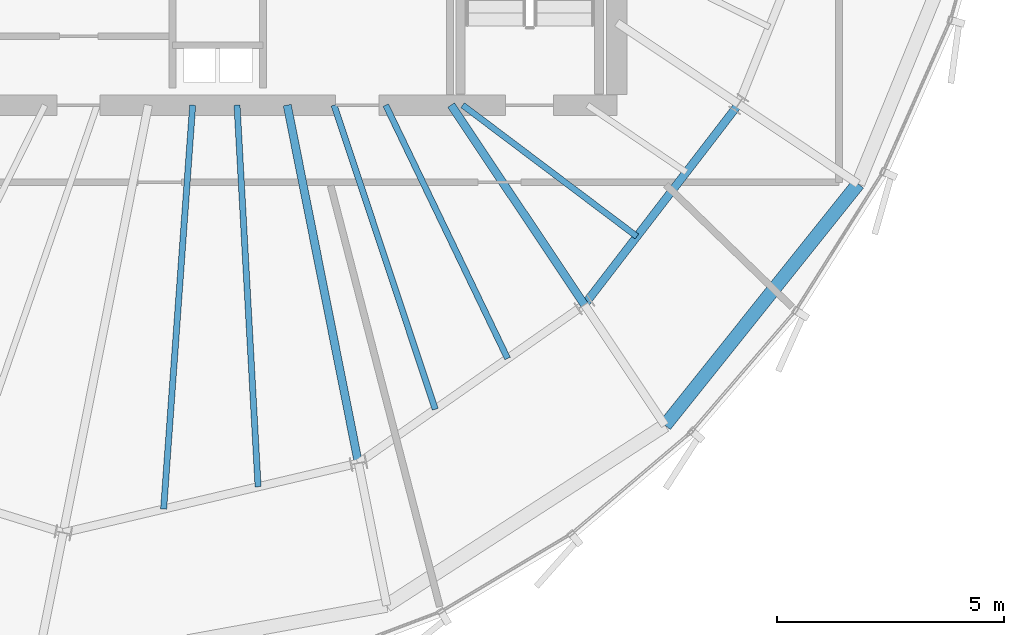
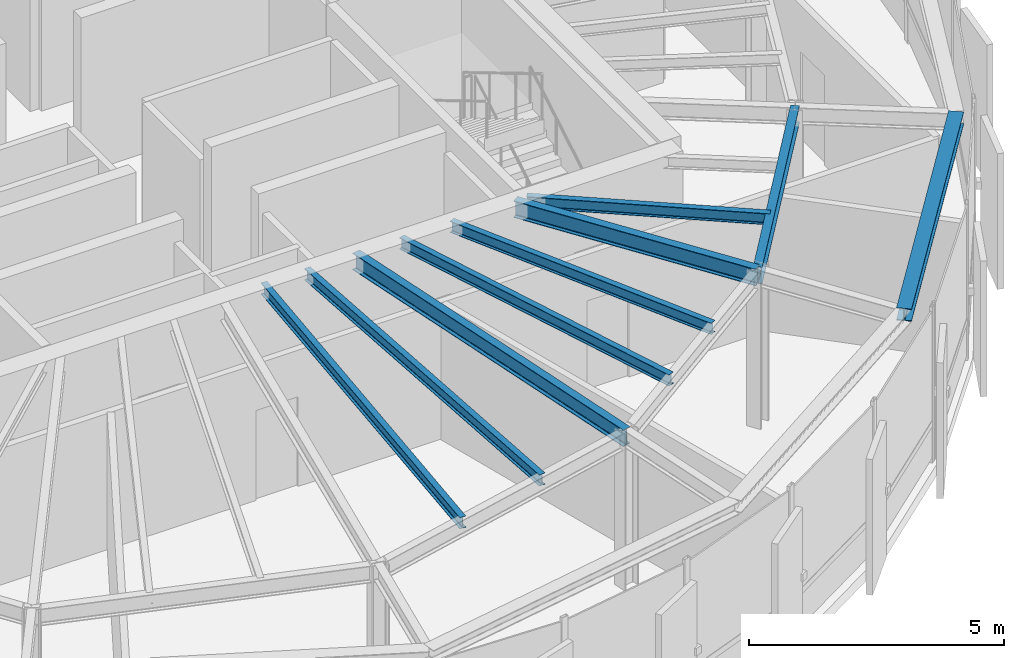
# One storey, part 8 of 26: 9 beams.
"""IFC4 building model written with IfcOpenShell, lengths in metres."""

from ifc_helpers import new_model, si_unit, direction, frame, origin, origin_2d, place, context, subcontext, project, spatial, i_section, extrude, source, transform, mapped, material, material_profile, profile_set, type_object, element, save


model = new_model("IFC4")

# Units and contexts
model_context = context("Model", 3, precision=1e-05, world=origin(), true_north=direction((0.0, 1.0)))
body_context = subcontext(model_context, "Body", "Model", "MODEL_VIEW")
ifc_project = project(units=[si_unit("LENGTHUNIT", "METRE"), si_unit("AREAUNIT", "SQUARE_METRE"), si_unit("VOLUMEUNIT", "CUBIC_METRE"), si_unit("PLANEANGLEUNIT", "RADIAN"), si_unit("MASSUNIT", "GRAM", prefix="KILO"), si_unit("THERMODYNAMICTEMPERATUREUNIT", "KELVIN")], contexts=[model_context])

# Site, building, storey
site_placement = place(None, origin())
site = spatial("IfcSite", under=ifc_project, at=site_placement, CompositionType="ELEMENT")
building_placement = place(site_placement, origin())
building = spatial("IfcBuilding", under=site, at=building_placement, Name="Kethvar Cultural Tower", CompositionType="ELEMENT")
storey_placement = place(building_placement, frame((0.0, 0.0, 316.300048828125)))
storey = spatial("IfcBuildingStorey", under=building, at=storey_placement, Name="L84", CompositionType="ELEMENT", Elevation=316.300048828125)

# Beams
ifc_material = material(Name="Steel S355J2", Category="steel")
ifc_material_profile_1 = material_profile(ifc_material, i_section(OverallWidth=0.135009765625, OverallDepth=0.27001953125, WebThickness=0.006591796875, FlangeThickness=0.01025390625, FilletRadius=0.014892578125, at=origin_2d()), Name="Steel S355J2 — IPE270")
ifc_profile_set_1 = profile_set([ifc_material_profile_1], Name="Steel S355J2 — IPE270")
beam_type_1 = type_object("IfcBeamType", Name="BM-J270", PredefinedType="JOIST", material=ifc_profile_set_1)
shared_shape_1 = source(origin(), body_context, "Body", "SweptSolid", [
    extrude(i_section(OverallWidth=0.135009765625, OverallDepth=0.27001953125, WebThickness=0.006591796875, FlangeThickness=0.01025390625, FilletRadius=0.014892578125, at=origin_2d()), origin(), (0.0, 0.0, 1.0), 8.9296875),
])
beam_1_placement = place(storey_placement, frame((46.246337890625, 20.10009765625, 3.597900390625), z_axis=(-0.071713352262, -0.99742528297, 0.0), x_axis=(0.99742528297, -0.071713352262, 0.0)))
element("IfcBeam", 1, at=beam_1_placement, inside=storey, type_object=beam_type_1, Name="L84 Composite Floor Joist J-12A", PredefinedType="JOIST", context=body_context, shape_type="MappedRepresentation", body=[
    mapped(shared_shape_1, transform((0.0, 0.0, 0.0), scale=1.0)),
])
shared_shape_2 = source(origin(), body_context, "Body", "SweptSolid", [
    extrude(i_section(OverallWidth=0.135009765625, OverallDepth=0.27001953125, WebThickness=0.006591796875, FlangeThickness=0.01025390625, FilletRadius=0.014892578125, at=origin_2d()), origin(), (0.0, 0.0, 1.0), 8.427978515625),
])
beam_2_placement = place(storey_placement, frame((47.224609375, 20.10009765625, 3.597900390625), z_axis=(0.055067321535, -0.998482643865, 0.0), x_axis=(0.998482643865, 0.055067321535, 0.0)))
element("IfcBeam", 2, at=beam_2_placement, inside=storey, type_object=beam_type_1, Name="L84 Composite Floor Joist J-12B", PredefinedType="JOIST", context=body_context, shape_type="MappedRepresentation", body=[
    mapped(shared_shape_2, transform((0.0, 0.0, 0.0), scale=1.0)),
])
shared_shape_3 = source(origin(), body_context, "Body", "SweptSolid", [
    extrude(i_section(OverallWidth=0.135009765625, OverallDepth=0.27001953125, WebThickness=0.006591796875, FlangeThickness=0.01025390625, FilletRadius=0.014892578125, at=origin_2d()), origin(), (0.0, 0.0, 1.0), 7.0673828125),
])
beam_3_placement = place(storey_placement, frame((49.363525390625, 20.10009765625, 3.597900390625), z_axis=(0.315875389768, -0.948800684095, 0.0), x_axis=(0.948800684095, 0.315875389768, 0.0)))
element("IfcBeam", 3, at=beam_3_placement, inside=storey, type_object=beam_type_1, Name="L84 Composite Floor Joist J-13A", PredefinedType="JOIST", context=body_context, shape_type="MappedRepresentation", body=[
    mapped(shared_shape_3, transform((0.0, 0.0, 0.0), scale=1.0)),
])
shared_shape_4 = source(origin(), body_context, "Body", "SweptSolid", [
    extrude(i_section(OverallWidth=0.135009765625, OverallDepth=0.27001953125, WebThickness=0.006591796875, FlangeThickness=0.01025390625, FilletRadius=0.014892578125, at=origin_2d()), origin(), (0.0, 0.0, 1.0), 6.2001953125),
])
beam_4_placement = place(storey_placement, frame((50.50341796875, 20.10009765625, 3.597900390625), z_axis=(0.433410678328, -0.901196529017, 0.0), x_axis=(0.901196529017, 0.433410678328, 0.0)))
element("IfcBeam", 4, at=beam_4_placement, inside=storey, type_object=beam_type_1, Name="L84 Composite Floor Joist J-13B", PredefinedType="JOIST", context=body_context, shape_type="MappedRepresentation", body=[
    mapped(shared_shape_4, transform((0.0, 0.0, 0.0), scale=1.0)),
])
shared_shape_5 = source(origin(), body_context, "Body", "SweptSolid", [
    extrude(i_section(OverallWidth=0.135009765625, OverallDepth=0.27001953125, WebThickness=0.006591796875, FlangeThickness=0.01025390625, FilletRadius=0.014892578125, at=origin_2d()), origin(), (0.0, 0.0, 1.0), 4.810791015625),
])
beam_5_placement = place(storey_placement, frame((52.199951171875, 20.10009765625, 3.597900390625), z_axis=(0.798542152732, -0.601938892505, 0.0), x_axis=(0.601938892505, 0.798542152732, 0.0)))
element("IfcBeam", 5, at=beam_5_placement, inside=storey, type_object=beam_type_1, Name="L84 Composite Floor Joist J-14A", PredefinedType="JOIST", context=body_context, shape_type="MappedRepresentation", body=[
    mapped(shared_shape_5, transform((0.0, 0.0, 0.0), scale=1.0)),
])
ifc_material_profile_2 = material_profile(ifc_material, i_section(OverallWidth=0.179931640625, OverallDepth=0.39990234375, WebThickness=0.008544921875, FlangeThickness=0.013427734375, FilletRadius=0.02099609375, at=origin_2d()), Name="Steel S355J2 — IPE400")
ifc_profile_set_2 = profile_set([ifc_material_profile_2], Name="Steel S355J2 — IPE400")
beam_type_2 = type_object("IfcBeamType", Name="BM-IPE400", PredefinedType="BEAM", material=ifc_profile_set_2)
shared_shape_6 = source(origin(), body_context, "Body", "SweptSolid", [
    extrude(i_section(OverallWidth=0.179931640625, OverallDepth=0.39990234375, WebThickness=0.008544921875, FlangeThickness=0.013427734375, FilletRadius=0.02099609375, at=origin_2d()), origin(), (0.0, 0.0, 1.0), 8.0478515625),
])
beam_6_placement = place(storey_placement, frame((48.33154296875, 20.10009765625, 3.532958984375), z_axis=(0.195089278796, -0.980785487912, 0.0), x_axis=(0.980785487912, 0.195089278796, 0.0)))
element("IfcBeam", 6, at=beam_6_placement, inside=storey, type_object=beam_type_2, Name="L84 Primary Radial Beam RB-13", PredefinedType="BEAM", context=body_context, shape_type="MappedRepresentation", body=[
    mapped(shared_shape_6, transform((0.0, 0.0, 0.0), scale=1.0)),
])
shared_shape_7 = source(origin(), body_context, "Body", "SweptSolid", [
    extrude(i_section(OverallWidth=0.179931640625, OverallDepth=0.39990234375, WebThickness=0.008544921875, FlangeThickness=0.013427734375, FilletRadius=0.02099609375, at=origin_2d()), origin(), (0.0, 0.0, 1.0), 5.291748046875),
])
beam_7_placement = place(storey_placement, frame((51.945068359375, 20.10009765625, 3.532958984375), z_axis=(0.555572931011, -0.831467809556, 0.0), x_axis=(0.831467809556, 0.555572931011, 0.0)))
element("IfcBeam", 7, at=beam_7_placement, inside=storey, type_object=beam_type_2, Name="L84 Primary Radial Beam RB-14", PredefinedType="BEAM", context=body_context, shape_type="MappedRepresentation", body=[
    mapped(shared_shape_7, transform((0.0, 0.0, 0.0), scale=1.0)),
])
shared_shape_8 = source(origin(), body_context, "Body", "SweptSolid", [
    extrude(i_section(OverallWidth=0.179931640625, OverallDepth=0.39990234375, WebThickness=0.008544921875, FlangeThickness=0.013427734375, FilletRadius=0.02099609375, at=origin_2d()), origin(), (0.0, 0.0, 1.0), 5.5810546875),
])
beam_8_placement = place(storey_placement, frame((54.885009765625, 15.7001953125, 3.532958984375), z_axis=(0.60957334008, 0.79272967843, 0.0), x_axis=(-0.79272967843, 0.60957334008, 0.0)))
element("IfcBeam", 8, at=beam_8_placement, inside=storey, type_object=beam_type_2, Name="L84 Column Ring Tie Beam CR-14", PredefinedType="BEAM", context=body_context, shape_type="MappedRepresentation", body=[
    mapped(shared_shape_8, transform((0.0, 0.0, 0.0), scale=1.0)),
])
ifc_material_profile_3 = material_profile(ifc_material, i_section(OverallWidth=0.300048828125, OverallDepth=0.300048828125, WebThickness=0.010986328125, FlangeThickness=0.01904296875, FilletRadius=0.027099609375, at=origin_2d()), Name="Steel S355J2 — HEB300")
ifc_profile_set_3 = profile_set([ifc_material_profile_3], Name="Steel S355J2 — HEB300")
beam_type_3 = type_object("IfcBeamType", Name="BM-SP300", PredefinedType="SPANDREL", material=ifc_profile_set_3)
shared_shape_9 = source(origin(), body_context, "Body", "SweptSolid", [
    extrude(i_section(OverallWidth=0.300048828125, OverallDepth=0.300048828125, WebThickness=0.010986328125, FlangeThickness=0.01904296875, FilletRadius=0.027099609375, at=origin_2d()), origin(), (0.0, 0.0, 1.0), 6.818359375),
])
beam_9_placement = place(storey_placement, frame((56.66259765625, 13.039306640625, 3.5830078125), z_axis=(0.62435002591, 0.781144701798, 0.0), x_axis=(-0.781144701798, 0.62435002591, 0.0)))
element("IfcBeam", 9, at=beam_9_placement, inside=storey, type_object=beam_type_3, Name="L84 Perimeter Spandrel Beam SP-14", PredefinedType="SPANDREL", context=body_context, shape_type="MappedRepresentation", body=[
    mapped(shared_shape_9, transform((0.0, 0.0, 0.0), scale=1.0)),
])

save(model, "model.ifc")
